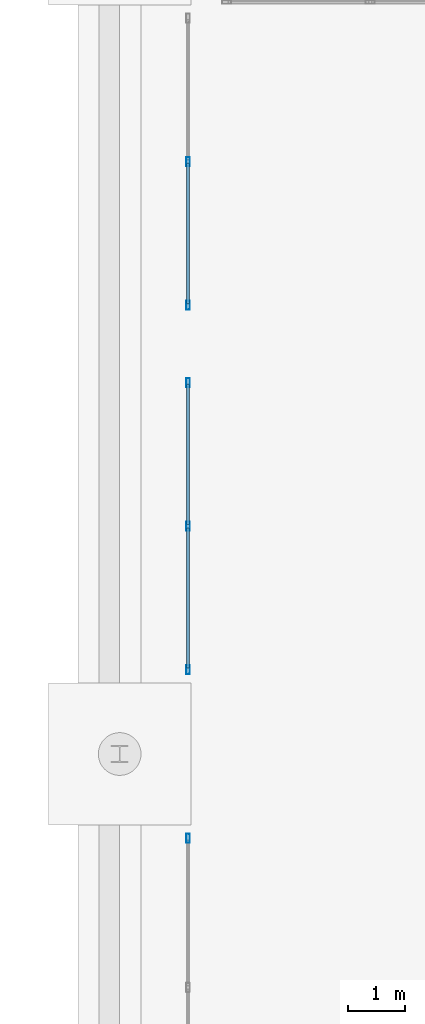
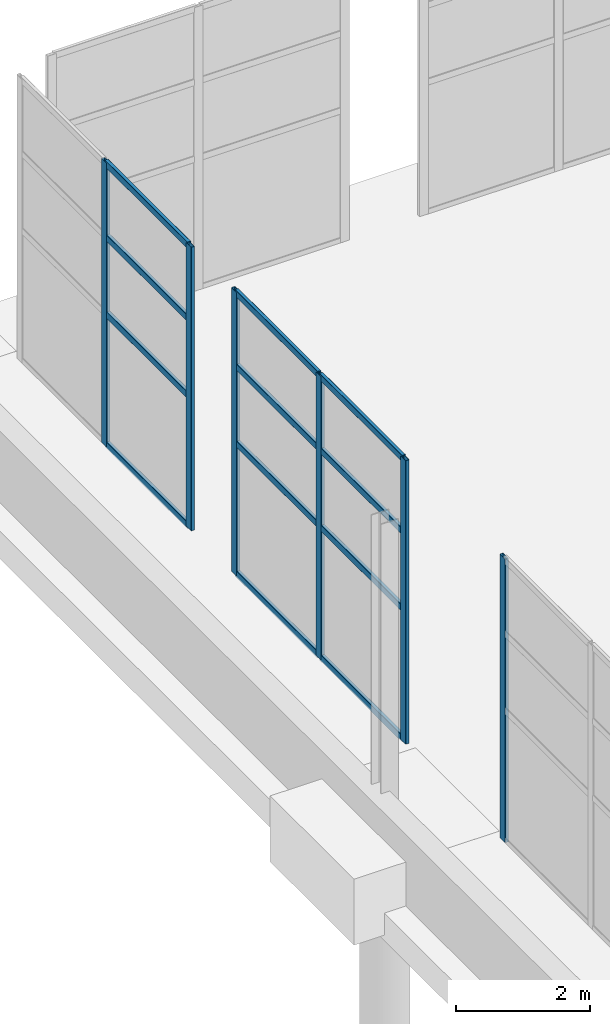
# One storey, part 39 of 91: 18 members, 3 elements without a shape of their own.
"""IFC4 building model written with IfcOpenShell, lengths in metres."""

from ifc_helpers import new_model, si_unit, direction, frame, origin, origin_2d, place, context, subcontext, project, spatial, hollow_rectangle, extrude, material, material_profile, profile_set, type_object, element, aggregate, save


model = new_model("IFC4")

# Units and contexts
model_context = context("Model", 3, precision=1e-05, world=origin(), true_north=direction((0.0, 1.0)))
body_context = subcontext(model_context, "Body", "Model", "MODEL_VIEW")
ifc_project = project(units=[si_unit("LENGTHUNIT", "METRE"), si_unit("AREAUNIT", "SQUARE_METRE"), si_unit("VOLUMEUNIT", "CUBIC_METRE"), si_unit("PLANEANGLEUNIT", "RADIAN"), si_unit("MASSUNIT", "GRAM", prefix="KILO")], contexts=[model_context])

# Site, building, storey
site_placement = place(None, origin())
site = spatial("IfcSite", under=ifc_project, at=site_placement, CompositionType="ELEMENT")
building_placement = place(site_placement, origin())
building = spatial("IfcBuilding", under=site, at=building_placement, Name="Bramveld Media Centre", CompositionType="ELEMENT")
storey_placement = place(building_placement, origin())
storey = spatial("IfcBuildingStorey", under=building, at=storey_placement, Name="L00", CompositionType="ELEMENT", Elevation=0.0)

# Curtain wall, member
ifc_material_1 = material(Name="Thermally broken anodized bronze aluminium unitized curtain wall with solar-control triple glazing", Category="aluminium")
curtain_wall_type_1 = type_object("IfcCurtainWallType", Name="CW-GAL-5300x5160", PredefinedType="NOTDEFINED", material=ifc_material_1)
curtain_wall_1_placement = place(storey_placement, origin())
curtain_wall_1 = element("IfcCurtainWall", 1, at=curtain_wall_1_placement, inside=storey, type_object=curtain_wall_type_1, Name="COLN-W colonnade glazed screen 5", PredefinedType="NOTDEFINED")
ifc_material_2 = material(Name="Thermally broken anodized bronze aluminium EN AW-6063 T6 curtain-wall framing", Category="aluminium")
ifc_material_profile_1 = material_profile(ifc_material_2, hollow_rectangle(XDim=0.06005859375, YDim=0.159912109375, WallThickness=0.00390625, InnerFilletRadius=0.00390625, OuterFilletRadius=0.008056640625, at=origin_2d()), Name="AL-MULL 60x160")
ifc_profile_set_1 = profile_set([ifc_material_profile_1], Name="Thermally broken anodized bronze aluminium EN AW-6063 T6 curtain-wall framing")
member_type_1 = type_object("IfcMemberType", Name="CW-MULL-EXT", PredefinedType="MULLION", material=ifc_profile_set_1)
member_1_placement = place(storey_placement, frame((1.199951171875, 96.1201171875, 0.0), z_axis=(0.0, 0.0, 1.0), x_axis=(-1.0, 0.0, 0.0)))
member_1 = element("IfcMember", 2, at=member_1_placement, type_object=member_type_1, Name="CW-GA-5351 mullion 3", PredefinedType="MULLION", context=body_context, shape_type="SweptSolid", body=[
    extrude(hollow_rectangle(XDim=0.06005859375, YDim=0.159912109375, WallThickness=0.00390625, InnerFilletRadius=0.00390625, OuterFilletRadius=0.008056640625, at=origin_2d()), origin(), (0.0, 0.0, 1.0), 5.159912109375),
])
aggregate(curtain_wall_1, [member_1])

# Curtain wall, members
ifc_material_3 = material(Name="Thermally broken anodized bronze aluminium unitized curtain wall with solar-control triple glazing", Category="aluminium")
curtain_wall_type_2 = type_object("IfcCurtainWallType", Name="CW-GAL-5100x5160", PredefinedType="NOTDEFINED", material=ifc_material_3)
curtain_wall_2_placement = place(storey_placement, origin())
curtain_wall_2 = element("IfcCurtainWall", 3, at=curtain_wall_2_placement, inside=storey, type_object=curtain_wall_type_2, Name="COLN-W colonnade glazed screen 7", PredefinedType="NOTDEFINED")
member_2_placement = place(storey_placement, frame((1.199951171875, 99.080078125, 0.0), z_axis=(0.0, 0.0, 1.0), x_axis=(-1.0, 0.0, 0.0)))
member_2 = element("IfcMember", 4, at=member_2_placement, type_object=member_type_1, Name="CW-GA-5151 mullion 1", PredefinedType="MULLION", context=body_context, shape_type="SweptSolid", body=[
    extrude(hollow_rectangle(XDim=0.06005859375, YDim=0.159912109375, WallThickness=0.00390625, InnerFilletRadius=0.00390625, OuterFilletRadius=0.008056640625, at=origin_2d()), origin(), (0.0, 0.0, 1.0), 5.159912109375),
])
member_3_placement = place(storey_placement, frame((1.199951171875, 101.60009765625, 0.0), z_axis=(0.0, 0.0, 1.0), x_axis=(-1.0, 0.0, 0.0)))
member_3 = element("IfcMember", 5, at=member_3_placement, type_object=member_type_1, Name="CW-GA-5151 mullion 2", PredefinedType="MULLION", context=body_context, shape_type="SweptSolid", body=[
    extrude(hollow_rectangle(XDim=0.06005859375, YDim=0.159912109375, WallThickness=0.00390625, InnerFilletRadius=0.00390625, OuterFilletRadius=0.008056640625, at=origin_2d()), origin(), (0.0, 0.0, 1.0), 5.159912109375),
])
member_4_placement = place(storey_placement, frame((1.199951171875, 104.1201171875, 0.0), z_axis=(0.0, 0.0, 1.0), x_axis=(-1.0, 0.0, 0.0)))
member_4 = element("IfcMember", 6, at=member_4_placement, type_object=member_type_1, Name="CW-GA-5151 mullion 3", PredefinedType="MULLION", context=body_context, shape_type="SweptSolid", body=[
    extrude(hollow_rectangle(XDim=0.06005859375, YDim=0.159912109375, WallThickness=0.00390625, InnerFilletRadius=0.00390625, OuterFilletRadius=0.008056640625, at=origin_2d()), origin(), (0.0, 0.0, 1.0), 5.159912109375),
])

curtain_wall_3_placement = place(storey_placement, origin())
curtain_wall_3 = element("IfcCurtainWall", 7, at=curtain_wall_3_placement, inside=storey, type_object=curtain_wall_type_2, Name="COLN-W colonnade glazed screen 8", PredefinedType="NOTDEFINED")
member_5_placement = place(storey_placement, frame((1.199951171875, 105.47998046875, 0.0), z_axis=(0.0, 0.0, 1.0), x_axis=(-1.0, 0.0, 0.0)))
member_5 = element("IfcMember", 8, at=member_5_placement, type_object=member_type_1, Name="CW-GA-5151 mullion 1", PredefinedType="MULLION", context=body_context, shape_type="SweptSolid", body=[
    extrude(hollow_rectangle(XDim=0.06005859375, YDim=0.159912109375, WallThickness=0.00390625, InnerFilletRadius=0.00390625, OuterFilletRadius=0.008056640625, at=origin_2d()), origin(), (0.0, 0.0, 1.0), 5.159912109375),
])
member_6_placement = place(storey_placement, frame((1.199951171875, 108.0, 0.0), z_axis=(0.0, 0.0, 1.0), x_axis=(-1.0, 0.0, 0.0)))
member_6 = element("IfcMember", 9, at=member_6_placement, type_object=member_type_1, Name="CW-GA-5151 mullion 2", PredefinedType="MULLION", context=body_context, shape_type="SweptSolid", body=[
    extrude(hollow_rectangle(XDim=0.06005859375, YDim=0.159912109375, WallThickness=0.00390625, InnerFilletRadius=0.00390625, OuterFilletRadius=0.008056640625, at=origin_2d()), origin(), (0.0, 0.0, 1.0), 5.159912109375),
])

# Member
ifc_material_4 = material(Name="Thermally broken anodized bronze aluminium EN AW-6063 T6 curtain-wall framing", Category="aluminium")
ifc_material_profile_2 = material_profile(ifc_material_4, hollow_rectangle(XDim=0.06005859375, YDim=0.1201171875, WallThickness=0.00341796875, InnerFilletRadius=0.00341796875, OuterFilletRadius=0.007080078125, at=origin_2d()), Name="AL-TRAN 60x120")
ifc_profile_set_2 = profile_set([ifc_material_profile_2], Name="Thermally broken anodized bronze aluminium EN AW-6063 T6 curtain-wall framing")
member_type_2 = type_object("IfcMemberType", Name="CW-TRAN-EXT", PredefinedType="USERDEFINED", material=ifc_profile_set_2)
member_7_placement = place(storey_placement, frame((1.199951171875, 99.110107421875, 0.030029296875), z_axis=(0.0, 1.0, 0.0), x_axis=(-1.0, 0.0, 0.0)))
member_7 = element("IfcMember", 10, at=member_7_placement, type_object=member_type_2, Name="CW-GA-5151 transom 1.1", ObjectType="TRANSOM", PredefinedType="USERDEFINED", context=body_context, shape_type="SweptSolid", body=[
    extrude(hollow_rectangle(XDim=0.06005859375, YDim=0.1201171875, WallThickness=0.00341796875, InnerFilletRadius=0.00341796875, OuterFilletRadius=0.007080078125, at=origin_2d()), origin(), (0.0, 0.0, 1.0), 2.4599609375),
])

member_8_placement = place(storey_placement, frame((1.199951171875, 99.110107421875, 2.39990234375), z_axis=(0.0, 1.0, 0.0), x_axis=(-1.0, 0.0, 0.0)))
member_8 = element("IfcMember", 11, at=member_8_placement, type_object=member_type_2, Name="CW-GA-5151 transom 1.2", ObjectType="TRANSOM", PredefinedType="USERDEFINED", context=body_context, shape_type="SweptSolid", body=[
    extrude(hollow_rectangle(XDim=0.06005859375, YDim=0.1201171875, WallThickness=0.00341796875, InnerFilletRadius=0.00341796875, OuterFilletRadius=0.007080078125, at=origin_2d()), origin(), (0.0, 0.0, 1.0), 2.4599609375),
])

member_9_placement = place(storey_placement, frame((1.199951171875, 99.110107421875, 3.800048828125), z_axis=(0.0, 1.0, 0.0), x_axis=(-1.0, 0.0, 0.0)))
member_9 = element("IfcMember", 12, at=member_9_placement, type_object=member_type_2, Name="CW-GA-5151 transom 1.3", ObjectType="TRANSOM", PredefinedType="USERDEFINED", context=body_context, shape_type="SweptSolid", body=[
    extrude(hollow_rectangle(XDim=0.06005859375, YDim=0.1201171875, WallThickness=0.00341796875, InnerFilletRadius=0.00341796875, OuterFilletRadius=0.007080078125, at=origin_2d()), origin(), (0.0, 0.0, 1.0), 2.4599609375),
])

member_10_placement = place(storey_placement, frame((1.199951171875, 99.110107421875, 5.1298828125), z_axis=(0.0, 1.0, 0.0), x_axis=(-1.0, 0.0, 0.0)))
member_10 = element("IfcMember", 13, at=member_10_placement, type_object=member_type_2, Name="CW-GA-5151 transom 1.4", ObjectType="TRANSOM", PredefinedType="USERDEFINED", context=body_context, shape_type="SweptSolid", body=[
    extrude(hollow_rectangle(XDim=0.06005859375, YDim=0.1201171875, WallThickness=0.00341796875, InnerFilletRadius=0.00341796875, OuterFilletRadius=0.007080078125, at=origin_2d()), origin(), (0.0, 0.0, 1.0), 2.4599609375),
])

member_11_placement = place(storey_placement, frame((1.199951171875, 101.6298828125, 0.030029296875), z_axis=(0.0, 1.0, 0.0), x_axis=(-1.0, 0.0, 0.0)))
member_11 = element("IfcMember", 14, at=member_11_placement, type_object=member_type_2, Name="CW-GA-5151 transom 2.1", ObjectType="TRANSOM", PredefinedType="USERDEFINED", context=body_context, shape_type="SweptSolid", body=[
    extrude(hollow_rectangle(XDim=0.06005859375, YDim=0.1201171875, WallThickness=0.00341796875, InnerFilletRadius=0.00341796875, OuterFilletRadius=0.007080078125, at=origin_2d()), origin(), (0.0, 0.0, 1.0), 2.460205078125),
])

member_12_placement = place(storey_placement, frame((1.199951171875, 101.6298828125, 2.39990234375), z_axis=(0.0, 1.0, 0.0), x_axis=(-1.0, 0.0, 0.0)))
member_12 = element("IfcMember", 15, at=member_12_placement, type_object=member_type_2, Name="CW-GA-5151 transom 2.2", ObjectType="TRANSOM", PredefinedType="USERDEFINED", context=body_context, shape_type="SweptSolid", body=[
    extrude(hollow_rectangle(XDim=0.06005859375, YDim=0.1201171875, WallThickness=0.00341796875, InnerFilletRadius=0.00341796875, OuterFilletRadius=0.007080078125, at=origin_2d()), origin(), (0.0, 0.0, 1.0), 2.460205078125),
])

member_13_placement = place(storey_placement, frame((1.199951171875, 101.6298828125, 3.800048828125), z_axis=(0.0, 1.0, 0.0), x_axis=(-1.0, 0.0, 0.0)))
member_13 = element("IfcMember", 16, at=member_13_placement, type_object=member_type_2, Name="CW-GA-5151 transom 2.3", ObjectType="TRANSOM", PredefinedType="USERDEFINED", context=body_context, shape_type="SweptSolid", body=[
    extrude(hollow_rectangle(XDim=0.06005859375, YDim=0.1201171875, WallThickness=0.00341796875, InnerFilletRadius=0.00341796875, OuterFilletRadius=0.007080078125, at=origin_2d()), origin(), (0.0, 0.0, 1.0), 2.460205078125),
])

member_14_placement = place(storey_placement, frame((1.199951171875, 101.6298828125, 5.1298828125), z_axis=(0.0, 1.0, 0.0), x_axis=(-1.0, 0.0, 0.0)))
member_14 = element("IfcMember", 17, at=member_14_placement, type_object=member_type_2, Name="CW-GA-5151 transom 2.4", ObjectType="TRANSOM", PredefinedType="USERDEFINED", context=body_context, shape_type="SweptSolid", body=[
    extrude(hollow_rectangle(XDim=0.06005859375, YDim=0.1201171875, WallThickness=0.00341796875, InnerFilletRadius=0.00341796875, OuterFilletRadius=0.007080078125, at=origin_2d()), origin(), (0.0, 0.0, 1.0), 2.460205078125),
])

aggregate(curtain_wall_2, [member_2, member_3, member_4, member_7, member_8, member_9, member_10, member_11, member_12, member_13, member_14])

member_15_placement = place(storey_placement, frame((1.199951171875, 105.510009765625, 0.030029296875), z_axis=(0.0, 1.0, 0.0), x_axis=(-1.0, 0.0, 0.0)))
member_15 = element("IfcMember", 18, at=member_15_placement, type_object=member_type_2, Name="CW-GA-5151 transom 1.1", ObjectType="TRANSOM", PredefinedType="USERDEFINED", context=body_context, shape_type="SweptSolid", body=[
    extrude(hollow_rectangle(XDim=0.06005859375, YDim=0.1201171875, WallThickness=0.00341796875, InnerFilletRadius=0.00341796875, OuterFilletRadius=0.007080078125, at=origin_2d()), origin(), (0.0, 0.0, 1.0), 2.4599609375),
])

member_16_placement = place(storey_placement, frame((1.199951171875, 105.510009765625, 2.39990234375), z_axis=(0.0, 1.0, 0.0), x_axis=(-1.0, 0.0, 0.0)))
member_16 = element("IfcMember", 19, at=member_16_placement, type_object=member_type_2, Name="CW-GA-5151 transom 1.2", ObjectType="TRANSOM", PredefinedType="USERDEFINED", context=body_context, shape_type="SweptSolid", body=[
    extrude(hollow_rectangle(XDim=0.06005859375, YDim=0.1201171875, WallThickness=0.00341796875, InnerFilletRadius=0.00341796875, OuterFilletRadius=0.007080078125, at=origin_2d()), origin(), (0.0, 0.0, 1.0), 2.4599609375),
])

member_17_placement = place(storey_placement, frame((1.199951171875, 105.510009765625, 3.800048828125), z_axis=(0.0, 1.0, 0.0), x_axis=(-1.0, 0.0, 0.0)))
member_17 = element("IfcMember", 20, at=member_17_placement, type_object=member_type_2, Name="CW-GA-5151 transom 1.3", ObjectType="TRANSOM", PredefinedType="USERDEFINED", context=body_context, shape_type="SweptSolid", body=[
    extrude(hollow_rectangle(XDim=0.06005859375, YDim=0.1201171875, WallThickness=0.00341796875, InnerFilletRadius=0.00341796875, OuterFilletRadius=0.007080078125, at=origin_2d()), origin(), (0.0, 0.0, 1.0), 2.4599609375),
])

member_18_placement = place(storey_placement, frame((1.199951171875, 105.510009765625, 5.1298828125), z_axis=(0.0, 1.0, 0.0), x_axis=(-1.0, 0.0, 0.0)))
member_18 = element("IfcMember", 21, at=member_18_placement, type_object=member_type_2, Name="CW-GA-5151 transom 1.4", ObjectType="TRANSOM", PredefinedType="USERDEFINED", context=body_context, shape_type="SweptSolid", body=[
    extrude(hollow_rectangle(XDim=0.06005859375, YDim=0.1201171875, WallThickness=0.00341796875, InnerFilletRadius=0.00341796875, OuterFilletRadius=0.007080078125, at=origin_2d()), origin(), (0.0, 0.0, 1.0), 2.4599609375),
])

aggregate(curtain_wall_3, [member_5, member_6, member_15, member_16, member_17, member_18])

save(model, "model.ifc")
